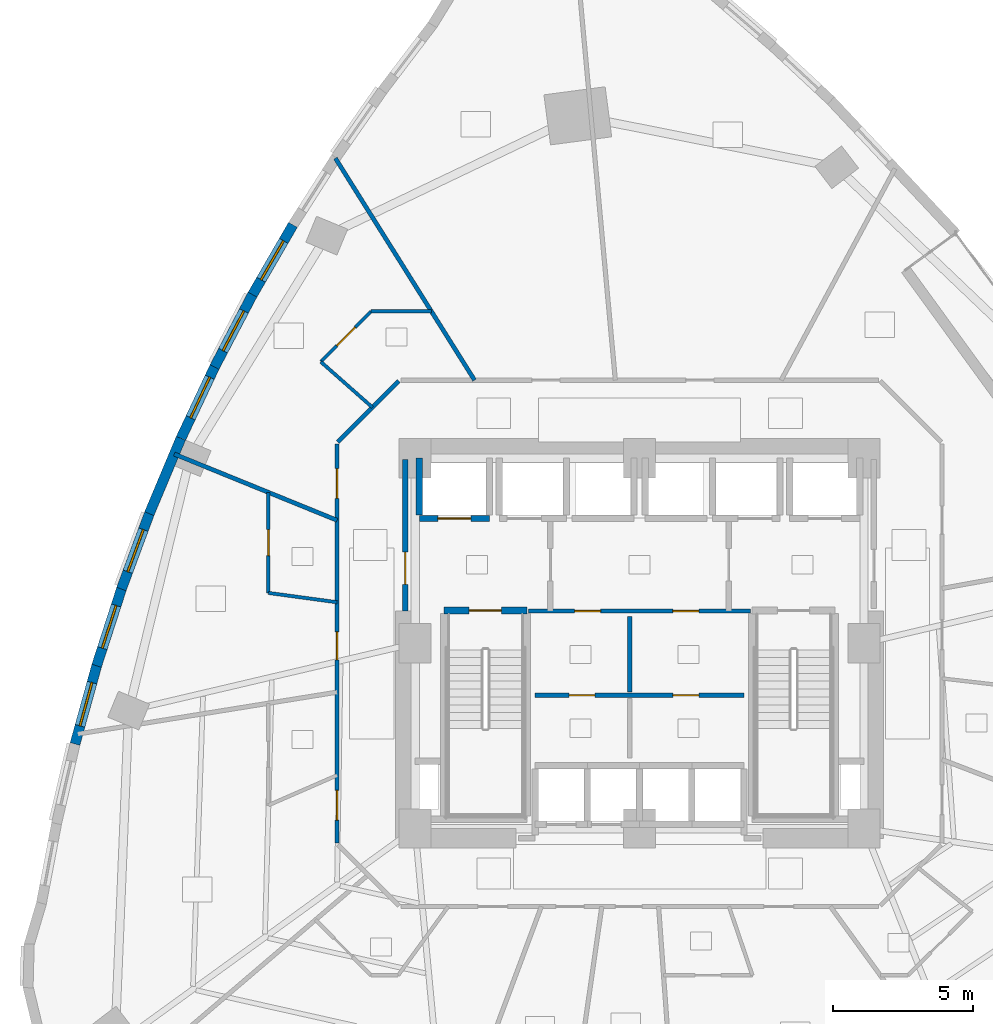
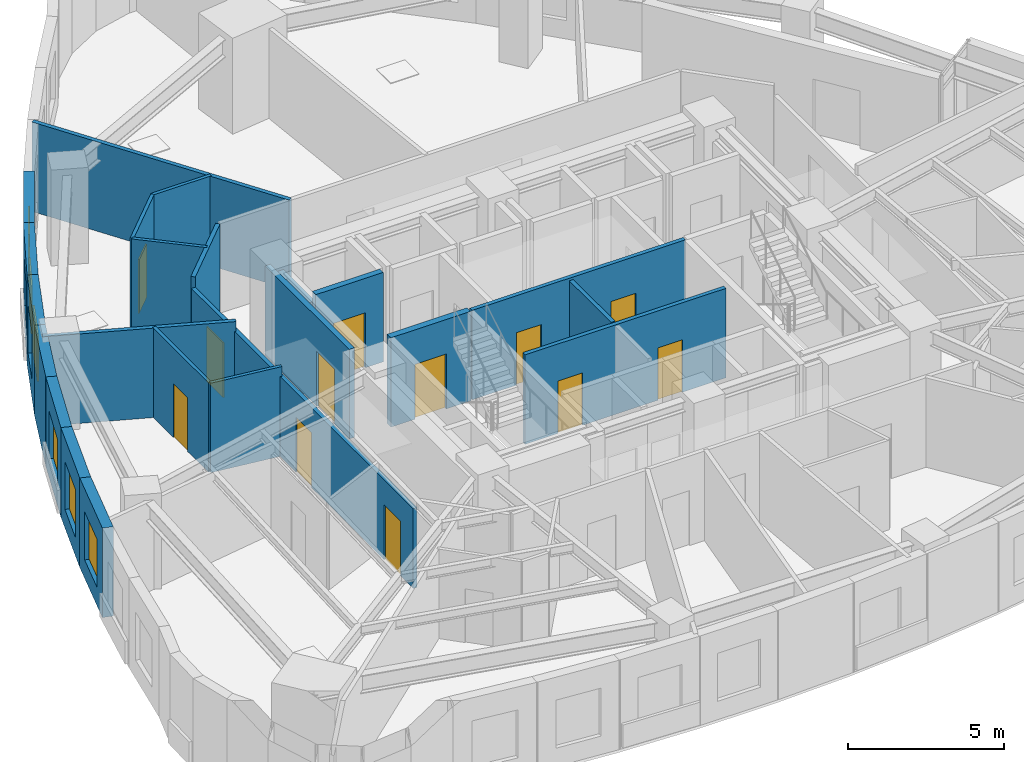
# One storey, part 10 of 15: 23 walls, 12 doors, 6 windows, 18 openings.
"""IFC4 building model written with IfcOpenShell, lengths in metres."""

from ifc_helpers import new_model, si_unit, direction, frame, frame_2d, origin, place, context, subcontext, project, spatial, rectangle, extrude, material, layer, layer_set, type_object, element, fill, save


model = new_model("IFC4")

# Units and contexts
model_context = context("Model", 3, precision=1e-05, world=origin(), true_north=direction((0.0, 1.0)))
body_context = subcontext(model_context, "Body", "Model", "MODEL_VIEW")
ifc_project = project(units=[si_unit("LENGTHUNIT", "METRE"), si_unit("AREAUNIT", "SQUARE_METRE"), si_unit("VOLUMEUNIT", "CUBIC_METRE"), si_unit("PLANEANGLEUNIT", "RADIAN"), si_unit("MASSUNIT", "GRAM", prefix="KILO")], contexts=[model_context])

# Site, building, storey
site_placement = place(None, origin())
site = spatial("IfcSite", under=ifc_project, at=site_placement, CompositionType="ELEMENT")
building_placement = place(site_placement, origin())
building = spatial("IfcBuilding", under=site, at=building_placement, Name="Ndelora Gate Hotel", CompositionType="ELEMENT")
storey_placement = place(building_placement, frame((0.0, 0.0, 56.75)))
storey = spatial("IfcBuildingStorey", under=building, at=storey_placement, Name="L13", CompositionType="ELEMENT", Elevation=56.75)

# Wall, opening, window
ifc_material_1 = material(Name="Clay Brick Masonry", Category="masonry")
ifc_layer_1 = layer(ifc_material_1, 0.360107421875)
ifc_layer_set_1 = layer_set([ifc_layer_1], Name="Clay Brick Masonry")
wall_type_1 = type_object("IfcWallType", Name="WL-BRICK-360", PredefinedType="SOLIDWALL", material=ifc_layer_set_1)
wall_1_placement = place(storey_placement, frame((-13.819580078125, 12.384765625, 0.0), z_axis=(0.0, 0.0, 1.0), x_axis=(0.501513234382, 0.865149972975, 0.0)))
wall_1 = element("IfcWall", 1, at=wall_1_placement, inside=storey, type_object=wall_type_1, Name="L13 Tower Brick Pier-and-Spandrel Wall TWR-12", PredefinedType="SOLIDWALL", context=body_context, shape_type="SweptSolid", body=[
    extrude(rectangle(XDim=2.92529296875, YDim=0.360107421875, at=frame_2d((1.462646484375, 0.0))), origin(), (0.0, 0.0, 1.0), 3.5),
])
opening_1_placement = place(wall_1_placement, frame((0.66259765625, 0.0, 0.719970703125)))
opening_1 = element("IfcOpeningElement", 2, at=opening_1_placement, cuts=wall_1, Name="Opening W01", PredefinedType="OPENING", context=body_context, shape_type="SweptSolid", body=[
    extrude(rectangle(XDim=1.60009765625, YDim=1.8798828125, at=frame_2d((0.800048828125, 0.93994140625))), frame((0.0, 0.18994140625, 0.0), z_axis=(0.0, -1.0, 0.0), x_axis=(1.0, 0.0, 0.0)), (0.0, 0.0, 1.0), 0.380126953125),
])
ifc_material_2 = material(Name="Insulated Low-E Double Glazing in Bronze Aluminium Frame", Category="aluminium")
window_type_1 = type_object("IfcWindowType", Name="WN-DEEP-1600", PartitioningType="SINGLE_PANEL", PredefinedType="WINDOW", material=ifc_material_2)
window_1_placement = place(opening_1_placement, origin())
window_1 = element("IfcWindow", 3, at=window_1_placement, inside=storey, type_object=window_type_1, Name="L13 Deep-Set Brick-Pier Window W01", OverallHeight=1.8798828125, OverallWidth=1.60009765625, PartitioningType="SINGLE_PANEL", PredefinedType="WINDOW", context=body_context, shape_type="SweptSolid", body=[
    extrude(rectangle(XDim=1.60009765625, YDim=1.8798828125, at=frame_2d((0.800048828125, 0.93994140625))), frame((0.0, 0.030029296875, 0.0), z_axis=(0.0, -1.0, 0.0), x_axis=(1.0, 0.0, 0.0)), (0.0, 0.0, 1.0), 0.06005859375),
])
fill(opening_1, window_1)

wall_2_placement = place(storey_placement, frame((-15.14892578125, 9.84716796875, 0.0), z_axis=(0.0, 0.0, 1.0), x_axis=(0.464385677237, 0.885633074573, 0.0)))
wall_2 = element("IfcWall", 4, at=wall_2_placement, inside=storey, type_object=wall_type_1, Name="L13 Tower Brick Pier-and-Spandrel Wall TWR-13", PredefinedType="SOLIDWALL", context=body_context, shape_type="SweptSolid", body=[
    extrude(rectangle(XDim=2.91455078125, YDim=0.360107421875, at=frame_2d((1.457275390625, 0.0))), origin(), (0.0, 0.0, 1.0), 3.5),
])
opening_2_placement = place(wall_2_placement, frame((0.657470703125, 0.0, 0.719970703125)))
opening_2 = element("IfcOpeningElement", 5, at=opening_2_placement, cuts=wall_2, Name="Opening W03", PredefinedType="OPENING", context=body_context, shape_type="SweptSolid", body=[
    extrude(rectangle(XDim=1.60009765625, YDim=1.8798828125, at=frame_2d((0.800048828125, 0.93994140625))), frame((0.0, 0.18994140625, 0.0), z_axis=(0.0, -1.0, 0.0), x_axis=(1.0, 0.0, 0.0)), (0.0, 0.0, 1.0), 0.380126953125),
])
window_type_2 = type_object("IfcWindowType", Name="WN-CORN-2100", PartitioningType="SINGLE_PANEL", PredefinedType="WINDOW", material=ifc_material_2)
window_2_placement = place(opening_2_placement, origin())
window_2 = element("IfcWindow", 6, at=window_2_placement, inside=storey, type_object=window_type_2, Name="L13 Deep-Set Brick-Pier Window W03", OverallHeight=1.8798828125, OverallWidth=1.60009765625, PartitioningType="SINGLE_PANEL", PredefinedType="WINDOW", context=body_context, shape_type="SweptSolid", body=[
    extrude(rectangle(XDim=1.60009765625, YDim=1.8798828125, at=frame_2d((0.800048828125, 0.93994140625))), frame((0.0, 0.030029296875, 0.0), z_axis=(0.0, -1.0, 0.0), x_axis=(1.0, 0.0, 0.0)), (0.0, 0.0, 1.0), 0.06005859375),
])
fill(opening_2, window_2)

wall_3_placement = place(storey_placement, frame((-16.36669921875, 7.259521484375, 0.0), z_axis=(0.0, 0.0, 1.0), x_axis=(0.426148545422, 0.904653202744, 0.0)))
wall_3 = element("IfcWall", 7, at=wall_3_placement, inside=storey, type_object=wall_type_1, Name="L13 Tower Brick Pier-and-Spandrel Wall TWR-14", PredefinedType="SOLIDWALL", context=body_context, shape_type="SweptSolid", body=[
    extrude(rectangle(XDim=2.90966796875, YDim=0.360107421875, at=frame_2d((1.454833984375, 0.0))), origin(), (0.0, 0.0, 1.0), 3.5),
])
opening_3_placement = place(wall_3_placement, frame((0.860107421875, 0.0, 0.719970703125)))
opening_3 = element("IfcOpeningElement", 8, at=opening_3_placement, cuts=wall_3, Name="Opening W01", PredefinedType="OPENING", context=body_context, shape_type="SweptSolid", body=[
    extrude(rectangle(XDim=1.60009765625, YDim=1.8798828125, at=frame_2d((0.800048828125, 0.93994140625))), frame((0.0, 0.18994140625, 0.0), z_axis=(0.0, -1.0, 0.0), x_axis=(1.0, 0.0, 0.0)), (0.0, 0.0, 1.0), 0.380126953125),
])
window_3_placement = place(opening_3_placement, origin())
window_3 = element("IfcWindow", 9, at=window_3_placement, inside=storey, type_object=window_type_1, Name="L13 Deep-Set Brick-Pier Window W01", OverallHeight=1.8798828125, OverallWidth=1.60009765625, PartitioningType="SINGLE_PANEL", PredefinedType="WINDOW", context=body_context, shape_type="SweptSolid", body=[
    extrude(rectangle(XDim=1.60009765625, YDim=1.8798828125, at=frame_2d((0.800048828125, 0.93994140625))), frame((0.0, 0.030029296875, 0.0), z_axis=(0.0, -1.0, 0.0), x_axis=(1.0, 0.0, 0.0)), (0.0, 0.0, 1.0), 0.06005859375),
])
fill(opening_3, window_3)

# Wall
wall_4_placement = place(storey_placement, frame((-17.472900390625, 4.622314453125, 0.0), z_axis=(0.0, 0.0, 1.0), x_axis=(0.387104109378, 0.922036012584, 0.0)))
element("IfcWall", 10, at=wall_4_placement, inside=storey, type_object=wall_type_1, Name="L13 Tower Brick Pier-and-Spandrel Wall TWR-15", PredefinedType="SOLIDWALL", context=body_context, shape_type="SweptSolid", body=[
    extrude(rectangle(XDim=2.909912109375, YDim=0.360107421875, at=frame_2d((1.455078125, 0.0))), origin(), (0.0, 0.0, 1.0), 3.5),
])

# Wall, opening, window
wall_5_placement = place(storey_placement, frame((-18.46728515625, 1.935791015625, 0.0), z_axis=(0.0, 0.0, 1.0), x_axis=(0.347513488828, 0.937674983714, 0.0)))
wall_5 = element("IfcWall", 11, at=wall_5_placement, inside=storey, type_object=wall_type_1, Name="L13 Tower Brick Pier-and-Spandrel Wall TWR-16", PredefinedType="SOLIDWALL", context=body_context, shape_type="SweptSolid", body=[
    extrude(rectangle(XDim=2.914794921875, YDim=0.360107421875, at=frame_2d((1.45751953125, 0.0))), origin(), (0.0, 0.0, 1.0), 3.5),
])
opening_4_placement = place(wall_5_placement, frame((0.657470703125, 0.0, 0.719970703125)))
opening_4 = element("IfcOpeningElement", 12, at=opening_4_placement, cuts=wall_5, Name="Opening W01", PredefinedType="OPENING", context=body_context, shape_type="SweptSolid", body=[
    extrude(rectangle(XDim=1.60009765625, YDim=1.8798828125, at=frame_2d((0.800048828125, 0.93994140625))), frame((0.0, 0.18994140625, 0.0), z_axis=(0.0, -1.0, 0.0), x_axis=(1.0, 0.0, 0.0)), (0.0, 0.0, 1.0), 0.380126953125),
])
window_4_placement = place(opening_4_placement, origin())
window_4 = element("IfcWindow", 13, at=window_4_placement, inside=storey, type_object=window_type_1, Name="L13 Deep-Set Brick-Pier Window W01", OverallHeight=1.8798828125, OverallWidth=1.60009765625, PartitioningType="SINGLE_PANEL", PredefinedType="WINDOW", context=body_context, shape_type="SweptSolid", body=[
    extrude(rectangle(XDim=1.60009765625, YDim=1.8798828125, at=frame_2d((0.800048828125, 0.93994140625))), frame((0.0, 0.030029296875, 0.0), z_axis=(0.0, -1.0, 0.0), x_axis=(1.0, 0.0, 0.0)), (0.0, 0.0, 1.0), 0.06005859375),
])
fill(opening_4, window_4)

wall_6_placement = place(storey_placement, frame((-19.349853515625, -0.80078125, 0.0), z_axis=(0.0, 0.0, 1.0), x_axis=(0.307375839582, 0.951588195199, 0.0)))
wall_6 = element("IfcWall", 14, at=wall_6_placement, inside=storey, type_object=wall_type_1, Name="L13 Tower Brick Pier-and-Spandrel Wall TWR-17", PredefinedType="SOLIDWALL", context=body_context, shape_type="SweptSolid", body=[
    extrude(rectangle(XDim=2.92529296875, YDim=0.360107421875, at=frame_2d((1.462646484375, 0.0))), origin(), (0.0, 0.0, 1.0), 3.5),
])
opening_5_placement = place(wall_6_placement, frame((0.66259765625, 0.0, 0.719970703125)))
opening_5 = element("IfcOpeningElement", 15, at=opening_5_placement, cuts=wall_6, Name="Opening W03", PredefinedType="OPENING", context=body_context, shape_type="SweptSolid", body=[
    extrude(rectangle(XDim=1.60009765625, YDim=1.8798828125, at=frame_2d((0.800048828125, 0.93994140625))), frame((0.0, 0.18994140625, 0.0), z_axis=(0.0, -1.0, 0.0), x_axis=(1.0, 0.0, 0.0)), (0.0, 0.0, 1.0), 0.380126953125),
])
window_5_placement = place(opening_5_placement, origin())
window_5 = element("IfcWindow", 16, at=window_5_placement, inside=storey, type_object=window_type_2, Name="L13 Deep-Set Brick-Pier Window W03", OverallHeight=1.8798828125, OverallWidth=1.60009765625, PartitioningType="SINGLE_PANEL", PredefinedType="WINDOW", context=body_context, shape_type="SweptSolid", body=[
    extrude(rectangle(XDim=1.60009765625, YDim=1.8798828125, at=frame_2d((0.800048828125, 0.93994140625))), frame((0.0, 0.030029296875, 0.0), z_axis=(0.0, -1.0, 0.0), x_axis=(1.0, 0.0, 0.0)), (0.0, 0.0, 1.0), 0.06005859375),
])
fill(opening_5, window_5)

wall_7_placement = place(storey_placement, frame((-20.12109375, -3.5869140625, 0.0), z_axis=(0.0, 0.0, 1.0), x_axis=(0.267147156335, 0.963655746033, 0.0)))
wall_7 = element("IfcWall", 17, at=wall_7_placement, inside=storey, type_object=wall_type_1, Name="L13 Tower Brick Pier-and-Spandrel Wall TWR-18", PredefinedType="SOLIDWALL", context=body_context, shape_type="SweptSolid", body=[
    extrude(rectangle(XDim=2.94091796875, YDim=0.360107421875, at=frame_2d((1.470458984375, 0.0))), origin(), (0.0, 0.0, 1.0), 3.5),
])
opening_6_placement = place(wall_7_placement, frame((0.67041015625, 0.0, 0.719970703125)))
opening_6 = element("IfcOpeningElement", 18, at=opening_6_placement, cuts=wall_7, Name="Opening W01", PredefinedType="OPENING", context=body_context, shape_type="SweptSolid", body=[
    extrude(rectangle(XDim=1.60009765625, YDim=1.8798828125, at=frame_2d((0.800048828125, 0.93994140625))), frame((0.0, 0.18994140625, 0.0), z_axis=(0.0, -1.0, 0.0), x_axis=(1.0, 0.0, 0.0)), (0.0, 0.0, 1.0), 0.380126953125),
])
window_6_placement = place(opening_6_placement, origin())
window_6 = element("IfcWindow", 19, at=window_6_placement, inside=storey, type_object=window_type_1, Name="L13 Deep-Set Brick-Pier Window W01", OverallHeight=1.8798828125, OverallWidth=1.60009765625, PartitioningType="SINGLE_PANEL", PredefinedType="WINDOW", context=body_context, shape_type="SweptSolid", body=[
    extrude(rectangle(XDim=1.60009765625, YDim=1.8798828125, at=frame_2d((0.800048828125, 0.93994140625))), frame((0.0, 0.030029296875, 0.0), z_axis=(0.0, -1.0, 0.0), x_axis=(1.0, 0.0, 0.0)), (0.0, 0.0, 1.0), 0.06005859375),
])
fill(opening_6, window_6)

# Wall, opening, door
ifc_material_3 = material(Name="Concrete C40/50", Category="concrete")
ifc_layer_2 = layer(ifc_material_3, 0.199951171875)
ifc_layer_set_2 = layer_set([ifc_layer_2], Name="Concrete C40/50")
wall_type_2 = type_object("IfcWallType", Name="WL-FIRE-200", PredefinedType="PARTITIONING", material=ifc_layer_set_2)
wall_8_placement = place(storey_placement, frame((-8.35009765625, 1.14990234375, 0.0), z_axis=(0.0, 0.0, 1.0), x_axis=(0.0, 1.0, 0.0)))
wall_8 = element("IfcWall", 20, at=wall_8_placement, inside=storey, type_object=wall_type_2, Name="L13 Interior Wall IW-2", PredefinedType="PARTITIONING", context=body_context, shape_type="SweptSolid", body=[
    extrude(rectangle(XDim=5.400146484375, YDim=0.199951171875, at=frame_2d((2.7001953125, 0.0))), origin(), (0.0, 0.0, 1.0), 3.5),
])
opening_7_placement = place(wall_8_placement, frame((0.949951171875, 0.0, 0.0)))
opening_7 = element("IfcOpeningElement", 21, at=opening_7_placement, cuts=wall_8, Name="Opening FD1", PredefinedType="OPENING", context=body_context, shape_type="SweptSolid", body=[
    extrude(rectangle(XDim=1.14990234375, YDim=2.14990234375, at=frame_2d((0.574951171875, 1.074951171875))), frame((0.0, 0.10986328125, 0.0), z_axis=(0.0, -1.0, 0.0), x_axis=(1.0, 0.0, 0.0)), (0.0, 0.0, 1.0), 0.219970703125),
])
ifc_material_4 = material(Name="Fire-Rated Timber-Veneer Steel Core", Category="steel")
door_type_1 = type_object("IfcDoorType", Name="DR-FD60", OperationType="SINGLE_SWING_LEFT", PredefinedType="DOOR", material=ifc_material_4)
door_1_placement = place(opening_7_placement, origin())
door_1 = element("IfcDoor", 22, at=door_1_placement, inside=storey, type_object=door_type_1, Name="L13 Firefighting Lobby West Corridor Door", OperationType="SINGLE_SWING_LEFT", OverallHeight=2.14990234375, OverallWidth=1.14990234375, PredefinedType="DOOR", context=body_context, shape_type="SweptSolid", body=[
    extrude(rectangle(XDim=1.14990234375, YDim=2.14990234375, at=frame_2d((0.574951171875, 1.074951171875))), frame((0.0, 0.02490234375, 0.0), z_axis=(0.0, -1.0, 0.0), x_axis=(1.0, 0.0, 0.0)), (0.0, 0.0, 1.0), 0.050048828125),
])
fill(opening_7, door_1)

# Wall, openings, doors
ifc_material_5 = material(Name="Fire-Rated Gypsum Stud Partition", Category="gypsum")
ifc_layer_3 = layer(ifc_material_5, 0.14990234375)
ifc_layer_set_3 = layer_set([ifc_layer_3], Name="Fire-Rated Gypsum Stud Partition")
wall_type_3 = type_object("IfcWallType", Name="WL-PART-150", PredefinedType="PARTITIONING", material=ifc_layer_set_3)
wall_9_placement = place(storey_placement, frame((3.949951171875, 1.14990234375, 0.0), z_axis=(0.0, 0.0, 1.0), x_axis=(-1.0, 0.0, 0.0)))
wall_9 = element("IfcWall", 23, at=wall_9_placement, inside=storey, type_object=wall_type_3, Name="L13 Interior Wall IW-5", PredefinedType="PARTITIONING", context=body_context, shape_type="SweptSolid", body=[
    extrude(rectangle(XDim=7.89990234375, YDim=0.14990234375, at=frame_2d((3.949951171875, 0.0))), origin(), (0.0, 0.0, 1.0), 3.5),
])
opening_8_placement = place(wall_9_placement, frame((5.340087890625, 0.0, 0.0)))
opening_8 = element("IfcOpeningElement", 24, at=opening_8_placement, cuts=wall_9, Name="Opening D04", PredefinedType="OPENING", context=body_context, shape_type="SweptSolid", body=[
    extrude(rectangle(XDim=0.919921875, YDim=2.050048828125, at=frame_2d((0.4599609375, 1.02490234375))), frame((0.0, 0.0849609375, 0.0), z_axis=(0.0, -1.0, 0.0), x_axis=(1.0, 0.0, 0.0)), (0.0, 0.0, 1.0), 0.169921875),
])
opening_9_placement = place(wall_9_placement, frame((1.840087890625, 0.0, 0.0)))
opening_9 = element("IfcOpeningElement", 25, at=opening_9_placement, cuts=wall_9, Name="Opening D04", PredefinedType="OPENING", context=body_context, shape_type="SweptSolid", body=[
    extrude(rectangle(XDim=0.919921875, YDim=2.050048828125, at=frame_2d((0.4599609375, 1.02490234375))), frame((0.0, 0.0849609375, 0.0), z_axis=(0.0, -1.0, 0.0), x_axis=(1.0, 0.0, 0.0)), (0.0, 0.0, 1.0), 0.169921875),
])
ifc_material_6 = material(Name="Painted Steel Core Service Door", Category="steel")
door_type_2 = type_object("IfcDoorType", Name="DR-SER-920", OperationType="SINGLE_SWING_LEFT", PredefinedType="DOOR", material=ifc_material_6)
door_2_placement = place(opening_8_placement, origin())
door_2 = element("IfcDoor", 26, at=door_2_placement, inside=storey, type_object=door_type_2, Name="L13 Core Electrical Closet Door", OperationType="SINGLE_SWING_LEFT", OverallHeight=2.050048828125, OverallWidth=0.919921875, PredefinedType="DOOR", context=body_context, shape_type="SweptSolid", body=[
    extrude(rectangle(XDim=0.919921875, YDim=2.050048828125, at=frame_2d((0.4599609375, 1.02490234375))), frame((0.0, 0.02490234375, 0.0), z_axis=(0.0, -1.0, 0.0), x_axis=(1.0, 0.0, 0.0)), (0.0, 0.0, 1.0), 0.050048828125),
])
fill(opening_8, door_2)
door_3_placement = place(opening_9_placement, origin())
door_3 = element("IfcDoor", 27, at=door_3_placement, inside=storey, type_object=door_type_2, Name="L13 Comms Patching Store Door", OperationType="SINGLE_SWING_RIGHT", OverallHeight=2.050048828125, OverallWidth=0.919921875, PredefinedType="DOOR", context=body_context, shape_type="SweptSolid", body=[
    extrude(rectangle(XDim=0.919921875, YDim=2.050048828125, at=frame_2d((0.4599609375, 1.02490234375))), frame((0.0, 0.02490234375, 0.0), z_axis=(0.0, -1.0, 0.0), x_axis=(1.0, 0.0, 0.0)), (0.0, 0.0, 1.0), 0.050048828125),
])
fill(opening_9, door_3)

wall_10_placement = place(storey_placement, frame((-3.719970703125, -1.85009765625, 0.0), z_axis=(0.0, 0.0, 1.0), x_axis=(1.0, 0.0, 0.0)))
wall_10 = element("IfcWall", 28, at=wall_10_placement, inside=storey, type_object=wall_type_3, Name="L13 Interior Wall IW-5", PredefinedType="PARTITIONING", context=body_context, shape_type="SweptSolid", body=[
    extrude(rectangle(XDim=7.43994140625, YDim=0.14990234375, at=frame_2d((3.719970703125, 0.0))), origin(), (0.0, 0.0, 1.0), 3.5),
])
opening_10_placement = place(wall_10_placement, frame((1.2099609375, 0.0, 0.0)))
opening_10 = element("IfcOpeningElement", 29, at=opening_10_placement, cuts=wall_10, Name="Opening D04", PredefinedType="OPENING", context=body_context, shape_type="SweptSolid", body=[
    extrude(rectangle(XDim=0.919921875, YDim=2.050048828125, at=frame_2d((0.4599609375, 1.02490234375))), frame((0.0, 0.0849609375, 0.0), z_axis=(0.0, -1.0, 0.0), x_axis=(1.0, 0.0, 0.0)), (0.0, 0.0, 1.0), 0.169921875),
])
opening_11_placement = place(wall_10_placement, frame((4.909912109375, 0.0, 0.0)))
opening_11 = element("IfcOpeningElement", 30, at=opening_11_placement, cuts=wall_10, Name="Opening D04", PredefinedType="OPENING", context=body_context, shape_type="SweptSolid", body=[
    extrude(rectangle(XDim=0.919921875, YDim=2.050048828125, at=frame_2d((0.4599609375, 1.02490234375))), frame((0.0, 0.0849609375, 0.0), z_axis=(0.0, -1.0, 0.0), x_axis=(1.0, 0.0, 0.0)), (0.0, 0.0, 1.0), 0.169921875),
])
door_4_placement = place(opening_10_placement, origin())
door_4 = element("IfcDoor", 31, at=door_4_placement, inside=storey, type_object=door_type_2, Name="L13 Core Service Internal Door", OperationType="SINGLE_SWING_LEFT", OverallHeight=2.050048828125, OverallWidth=0.919921875, PredefinedType="DOOR", context=body_context, shape_type="SweptSolid", body=[
    extrude(rectangle(XDim=0.919921875, YDim=2.050048828125, at=frame_2d((0.4599609375, 1.02490234375))), frame((0.0, 0.02490234375, 0.0), z_axis=(0.0, -1.0, 0.0), x_axis=(1.0, 0.0, 0.0)), (0.0, 0.0, 1.0), 0.050048828125),
])
fill(opening_10, door_4)
door_5_placement = place(opening_11_placement, origin())
door_5 = element("IfcDoor", 32, at=door_5_placement, inside=storey, type_object=door_type_2, Name="L13 Core Service Internal Door", OperationType="SINGLE_SWING_LEFT", OverallHeight=2.050048828125, OverallWidth=0.919921875, PredefinedType="DOOR", context=body_context, shape_type="SweptSolid", body=[
    extrude(rectangle(XDim=0.919921875, YDim=2.050048828125, at=frame_2d((0.4599609375, 1.02490234375))), frame((0.0, 0.02490234375, 0.0), z_axis=(0.0, -1.0, 0.0), x_axis=(1.0, 0.0, 0.0)), (0.0, 0.0, 1.0), 0.050048828125),
])
fill(opening_11, door_5)

# Walls
wall_11_placement = place(storey_placement, frame((-0.35009765625, -1.72998046875, 0.0), z_axis=(0.0, 0.0, 1.0), x_axis=(0.0, 1.0, 0.0)))
element("IfcWall", 33, at=wall_11_placement, inside=storey, type_object=wall_type_3, Name="L13 Interior Wall IW-5", PredefinedType="PARTITIONING", context=body_context, shape_type="SweptSolid", body=[
    extrude(rectangle(XDim=2.679931640625, YDim=0.14990234375, at=frame_2d((1.33984375, 0.0))), origin(), (0.0, 0.0, 1.0), 3.5),
])
wall_12_placement = place(storey_placement, frame((-10.751708984375, 7.17822265625, 0.0), z_axis=(0.0, 0.0, 1.0), x_axis=(0.707067066127, 0.707146494016, 0.0)))
element("IfcWall", 34, at=wall_12_placement, inside=storey, type_object=wall_type_3, Name="L13 Interior Wall IW-5", PredefinedType="PARTITIONING", context=body_context, shape_type="SweptSolid", body=[
    extrude(rectangle(XDim=3.07373046875, YDim=0.14990234375, at=frame_2d((1.536865234375, 0.0))), origin(), (0.0, 0.0, 1.0), 3.5),
])

# Wall, openings, doors
wall_13_placement = place(storey_placement, frame((-10.780029296875, -7.110107421875, 0.0), z_axis=(0.0, 0.0, 1.0), x_axis=(0.0, 1.0, 0.0)))
wall_13 = element("IfcWall", 35, at=wall_13_placement, inside=storey, type_object=wall_type_3, Name="L13 Interior Wall IW-5", PredefinedType="PARTITIONING", context=body_context, shape_type="SweptSolid", body=[
    extrude(rectangle(XDim=14.22021484375, YDim=0.14990234375, at=frame_2d((7.110107421875, 0.0))), origin(), (0.0, 0.0, 1.0), 3.1201171875),
])
opening_12_placement = place(wall_13_placement, frame((12.277587890625, 0.0, 0.0)))
opening_12 = element("IfcOpeningElement", 36, at=opening_12_placement, cuts=wall_13, Name="Opening D07", PredefinedType="OPENING", context=body_context, shape_type="SweptSolid", body=[
    extrude(rectangle(XDim=1.06005859375, YDim=2.14990234375, at=frame_2d((0.530029296875, 1.074951171875))), frame((0.0, 0.0849609375, 0.0), z_axis=(0.0, -1.0, 0.0), x_axis=(1.0, 0.0, 0.0)), (0.0, 0.0, 1.0), 0.169921875),
])
opening_13_placement = place(wall_13_placement, frame((6.521484375, 0.0, 0.0)))
opening_13 = element("IfcOpeningElement", 37, at=opening_13_placement, cuts=wall_13, Name="Opening D01", PredefinedType="OPENING", context=body_context, shape_type="SweptSolid", body=[
    extrude(rectangle(XDim=1.0, YDim=2.14990234375, at=frame_2d((0.5, 1.074951171875))), frame((0.0, 0.0849609375, 0.0), z_axis=(0.0, -1.0, 0.0), x_axis=(1.0, 0.0, 0.0)), (0.0, 0.0, 1.0), 0.169921875),
])
opening_14_placement = place(wall_13_placement, frame((0.813232421875, 0.0, 0.0)))
opening_14 = element("IfcOpeningElement", 38, at=opening_14_placement, cuts=wall_13, Name="Opening D07", PredefinedType="OPENING", context=body_context, shape_type="SweptSolid", body=[
    extrude(rectangle(XDim=1.06005859375, YDim=2.14990234375, at=frame_2d((0.530029296875, 1.074951171875))), frame((0.0, 0.0849609375, 0.0), z_axis=(0.0, -1.0, 0.0), x_axis=(1.0, 0.0, 0.0)), (0.0, 0.0, 1.0), 0.169921875),
])
ifc_material_7 = material(Name="Acoustic Hardwood Guest Entrance Door", Category="wood")
door_type_3 = type_object("IfcDoorType", Name="DR-COR-1000", OperationType="SINGLE_SWING_LEFT", PredefinedType="DOOR", material=ifc_material_7)
door_6_placement = place(opening_13_placement, origin())
door_6 = element("IfcDoor", 39, at=door_6_placement, inside=storey, type_object=door_type_3, Name="L13 Executive King Guest Room 1605 Entrance Door", OperationType="SINGLE_SWING_LEFT", OverallHeight=2.14990234375, OverallWidth=1.0, PredefinedType="DOOR", context=body_context, shape_type="SweptSolid", body=[
    extrude(rectangle(XDim=1.0, YDim=2.14990234375, at=frame_2d((0.5, 1.074951171875))), frame((0.0, 0.02490234375, 0.0), z_axis=(0.0, -1.0, 0.0), x_axis=(1.0, 0.0, 0.0)), (0.0, 0.0, 1.0), 0.050048828125),
])
fill(opening_13, door_6)
ifc_material_8 = material(Name="Diplomatic Suite Acoustic Entrance Door", Category="wood")
door_type_4 = type_object("IfcDoorType", Name="DR-SUITE-1060", OperationType="SINGLE_SWING_LEFT", PredefinedType="DOOR", material=ifc_material_8)
door_7_placement = place(opening_12_placement, origin())
door_7 = element("IfcDoor", 40, at=door_7_placement, inside=storey, type_object=door_type_4, Name="L13 Corner Diplomatic Suite 1604 Entrance Door", OperationType="SINGLE_SWING_RIGHT", OverallHeight=2.14990234375, OverallWidth=1.06005859375, PredefinedType="DOOR", context=body_context, shape_type="SweptSolid", body=[
    extrude(rectangle(XDim=1.06005859375, YDim=2.14990234375, at=frame_2d((0.530029296875, 1.074951171875))), frame((0.0, 0.02490234375, 0.0), z_axis=(0.0, -1.0, 0.0), x_axis=(1.0, 0.0, 0.0)), (0.0, 0.0, 1.0), 0.050048828125),
])
fill(opening_12, door_7)
door_8_placement = place(opening_14_placement, origin())
door_8 = element("IfcDoor", 41, at=door_8_placement, inside=storey, type_object=door_type_4, Name="L13 Superior Double Junior Suite 1606 Entrance Door", OperationType="SINGLE_SWING_RIGHT", OverallHeight=2.14990234375, OverallWidth=1.06005859375, PredefinedType="DOOR", context=body_context, shape_type="SweptSolid", body=[
    extrude(rectangle(XDim=1.06005859375, YDim=2.14990234375, at=frame_2d((0.530029296875, 1.074951171875))), frame((0.0, 0.02490234375, 0.0), z_axis=(0.0, -1.0, 0.0), x_axis=(1.0, 0.0, 0.0)), (0.0, 0.0, 1.0), 0.050048828125),
])
fill(opening_14, door_8)

# Walls
wall_14_placement = place(storey_placement, frame((-5.881103515625, 9.3798828125, 0.0), z_axis=(0.0, 0.0, 1.0), x_axis=(-0.531202169705, 0.847245097301, 0.0)))
element("IfcWall", 42, at=wall_14_placement, inside=storey, type_object=wall_type_3, Name="L13 Interior Wall IW-5", PredefinedType="PARTITIONING", context=body_context, shape_type="SweptSolid", body=[
    extrude(rectangle(XDim=9.333984375, YDim=0.14990234375, at=frame_2d((4.6669921875, 0.0))), origin(), (0.0, 0.0, 1.0), 3.5),
])
wall_15_placement = place(storey_placement, frame((-10.780029296875, 4.38525390625, 0.0), z_axis=(0.0, 0.0, 1.0), x_axis=(-0.926285946265, 0.376821371146, 0.0)))
element("IfcWall", 43, at=wall_15_placement, inside=storey, type_object=wall_type_3, Name="L13 Interior Wall IW-5", PredefinedType="PARTITIONING", context=body_context, shape_type="SweptSolid", body=[
    extrude(rectangle(XDim=6.26318359375, YDim=0.14990234375, at=frame_2d((3.131591796875, 0.0))), origin(), (0.0, 0.0, 1.0), 3.5),
])

# Wall, opening, door
ifc_layer_4 = layer(ifc_material_3, 0.219970703125)
ifc_layer_set_4 = layer_set([ifc_layer_4], Name="Concrete C40/50")
wall_type_4 = type_object("IfcWallType", Name="WL-SHAFT-220", PredefinedType="PARTITIONING", material=ifc_layer_set_4)
wall_16_placement = place(storey_placement, frame((-7.85009765625, 4.449951171875, 0.0), z_axis=(0.0, 0.0, 1.0), x_axis=(1.0, 0.0, 0.0)))
wall_16 = element("IfcWall", 44, at=wall_16_placement, inside=storey, type_object=wall_type_4, Name="L13 Interior Wall IW-1", PredefinedType="PARTITIONING", context=body_context, shape_type="SweptSolid", body=[
    extrude(rectangle(XDim=2.5, YDim=0.219970703125, at=frame_2d((1.25, 0.0))), origin(), (0.0, 0.0, 1.0), 3.5),
])
opening_15_placement = place(wall_16_placement, frame((0.659912109375, 0.0, 0.0)))
opening_15 = element("IfcOpeningElement", 45, at=opening_15_placement, cuts=wall_16, Name="Opening LD5", PredefinedType="OPENING", context=body_context, shape_type="SweptSolid", body=[
    extrude(rectangle(XDim=1.179931640625, YDim=2.14990234375, at=frame_2d((0.58984375, 1.074951171875))), frame((0.0, 0.1201171875, 0.0), z_axis=(0.0, -1.0, 0.0), x_axis=(1.0, 0.0, 0.0)), (0.0, 0.0, 1.0), 0.239990234375),
])
ifc_material_9 = material(Name="Firefighting Lift Stainless Sliding Landing Door", Category="metal")
door_type_5 = type_object("IfcDoorType", Name="DR-LD5", OperationType="DOUBLE_DOOR_SLIDING", PredefinedType="DOOR", material=ifc_material_9)
door_9_placement = place(opening_15_placement, origin())
door_9 = element("IfcDoor", 46, at=door_9_placement, inside=storey, type_object=door_type_5, Name="L13 Lift Landing Sliding Door FFL1", OperationType="DOUBLE_DOOR_SLIDING", OverallHeight=2.14990234375, OverallWidth=1.179931640625, PredefinedType="DOOR", context=body_context, shape_type="SweptSolid", body=[
    extrude(rectangle(XDim=1.179931640625, YDim=2.14990234375, at=frame_2d((0.58984375, 1.074951171875))), frame((0.0, 0.02490234375, 0.0), z_axis=(0.0, -1.0, 0.0), x_axis=(1.0, 0.0, 0.0)), (0.0, 0.0, 1.0), 0.050048828125),
])
fill(opening_15, door_9)

# Wall
wall_17_placement = place(storey_placement, frame((-7.85009765625, 4.570068359375, 0.0), z_axis=(0.0, 0.0, 1.0), x_axis=(0.0, 1.0, 0.0)))
element("IfcWall", 47, at=wall_17_placement, inside=storey, type_object=wall_type_4, Name="L13 Interior Wall IW-1", PredefinedType="PARTITIONING", context=body_context, shape_type="SweptSolid", body=[
    extrude(rectangle(XDim=2.030029296875, YDim=0.219970703125, at=frame_2d((1.01513671875, 0.0))), origin(), (0.0, 0.0, 1.0), 3.080078125),
])

# Wall, opening, door
ifc_material_10 = material(Name="Concrete C50/60", Category="concrete")
ifc_layer_5 = layer(ifc_material_10, 0.239990234375)
ifc_layer_set_5 = layer_set([ifc_layer_5], Name="Concrete C50/60")
wall_type_5 = type_object("IfcWallType", Name="WL-STAIR-240", PredefinedType="SHEAR", material=ifc_layer_set_5)
wall_18_placement = place(storey_placement, frame((-6.969970703125, 1.169921875, 0.0), z_axis=(0.0, 0.0, 1.0), x_axis=(1.0, 0.0, 0.0)))
wall_18 = element("IfcWall", 48, at=wall_18_placement, inside=storey, type_object=wall_type_5, Name="L13 Stair Core Shear Wall SW-ST", PredefinedType="SHEAR", context=body_context, shape_type="SweptSolid", body=[
    extrude(rectangle(XDim=2.9599609375, YDim=0.239990234375, at=frame_2d((1.47998046875, 0.0))), origin(), (0.0, 0.0, 1.0), 3.5),
])
opening_16_placement = place(wall_18_placement, frame((0.89990234375, 0.0, 0.0)))
opening_16 = element("IfcOpeningElement", 49, at=opening_16_placement, cuts=wall_18, Name="Opening FD1", PredefinedType="OPENING", context=body_context, shape_type="SweptSolid", body=[
    extrude(rectangle(XDim=1.14990234375, YDim=2.14990234375, at=frame_2d((0.574951171875, 1.074951171875))), frame((0.0, 0.1298828125, 0.0), z_axis=(0.0, -1.0, 0.0), x_axis=(1.0, 0.0, 0.0)), (0.0, 0.0, 1.0), 0.260009765625),
])
door_10_placement = place(opening_16_placement, origin())
door_10 = element("IfcDoor", 50, at=door_10_placement, inside=storey, type_object=door_type_1, Name="L13 Exit Stair ST4 Door", OperationType="SINGLE_SWING_LEFT", OverallHeight=2.14990234375, OverallWidth=1.14990234375, PredefinedType="DOOR", context=body_context, shape_type="SweptSolid", body=[
    extrude(rectangle(XDim=1.14990234375, YDim=2.14990234375, at=frame_2d((0.574951171875, 1.074951171875))), frame((0.0, 0.02490234375, 0.0), z_axis=(0.0, -1.0, 0.0), x_axis=(1.0, 0.0, 0.0)), (0.0, 0.0, 1.0), 0.050048828125),
])
fill(opening_16, door_10)

# Wall
ifc_material_11 = material(Name="Moisture-Resistant Bathroom Tile Partition", Category="gypsum")
ifc_layer_6 = layer(ifc_material_11, 0.1201171875)
ifc_layer_set_6 = layer_set([ifc_layer_6], Name="Moisture-Resistant Bathroom Tile Partition")
wall_type_6 = type_object("IfcWallType", Name="WL-WET-120", PredefinedType="PARTITIONING", material=ifc_layer_set_6)
wall_19_placement = place(storey_placement, frame((-9.520263671875, 8.409912109375, 0.0), z_axis=(0.0, 0.0, 1.0), x_axis=(-0.749512689339, 0.661989976147, 0.0)))
element("IfcWall", 51, at=wall_19_placement, inside=storey, type_object=wall_type_6, Name="L13 Interior Wall IW-7", PredefinedType="PARTITIONING", context=body_context, shape_type="SweptSolid", body=[
    extrude(rectangle(XDim=2.454833984375, YDim=0.1201171875, at=frame_2d((1.2275390625, 0.0))), origin(), (0.0, 0.0, 1.0), 3.5),
])

# Wall, opening, door
wall_20_placement = place(storey_placement, frame((-11.360107421875, 10.034912109375, 0.0), z_axis=(0.0, 0.0, 1.0), x_axis=(0.707154859159, 0.707058699945, 0.0)))
wall_20 = element("IfcWall", 52, at=wall_20_placement, inside=storey, type_object=wall_type_6, Name="L13 Interior Wall IW-7", PredefinedType="PARTITIONING", context=body_context, shape_type="SweptSolid", body=[
    extrude(rectangle(XDim=2.538818359375, YDim=0.1201171875, at=frame_2d((1.26953125, 0.0))), origin(), (0.0, 0.0, 1.0), 3.5),
])
opening_17_placement = place(wall_20_placement, frame((0.809326171875, 0.0, 0.0)))
opening_17 = element("IfcOpeningElement", 53, at=opening_17_placement, cuts=wall_20, Name="Opening D03", PredefinedType="OPENING", context=body_context, shape_type="SweptSolid", body=[
    extrude(rectangle(XDim=0.919921875, YDim=2.10009765625, at=frame_2d((0.4599609375, 1.050048828125))), frame((0.0, 0.070068359375, 0.0), z_axis=(0.0, -1.0, 0.0), x_axis=(1.0, 0.0, 0.0)), (0.0, 0.0, 1.0), 0.14013671875),
])
ifc_material_12 = material(Name="Moisture-Resistant Hardwood En-Suite Door", Category="wood")
door_type_6 = type_object("IfcDoorType", Name="DR-BATH-920", OperationType="SINGLE_SWING_LEFT", PredefinedType="DOOR", material=ifc_material_12)
door_11_placement = place(opening_17_placement, origin())
door_11 = element("IfcDoor", 54, at=door_11_placement, inside=storey, type_object=door_type_6, Name="L13 En-suite Bathroom 1604 Door", OperationType="SINGLE_SWING_LEFT", OverallHeight=2.10009765625, OverallWidth=0.919921875, PredefinedType="DOOR", context=body_context, shape_type="SweptSolid", body=[
    extrude(rectangle(XDim=0.919921875, YDim=2.10009765625, at=frame_2d((0.4599609375, 1.050048828125))), frame((0.0, 0.02490234375, 0.0), z_axis=(0.0, -1.0, 0.0), x_axis=(1.0, 0.0, 0.0)), (0.0, 0.0, 1.0), 0.050048828125),
])
fill(opening_17, door_11)

# Walls
wall_21_placement = place(storey_placement, frame((-7.417236328125, 11.830078125, 0.0), z_axis=(0.0, 0.0, 1.0), x_axis=(-1.0, 0.0, 0.0)))
element("IfcWall", 55, at=wall_21_placement, inside=storey, type_object=wall_type_6, Name="L13 Interior Wall IW-7", PredefinedType="PARTITIONING", context=body_context, shape_type="SweptSolid", body=[
    extrude(rectangle(XDim=2.1474609375, YDim=0.1201171875, at=frame_2d((1.07373046875, 0.0))), origin(), (0.0, 0.0, 1.0), 3.5),
])
wall_22_placement = place(storey_placement, frame((-10.780029296875, 1.464599609375, 0.0), z_axis=(0.0, 0.0, 1.0), x_axis=(-0.990901533964, 0.134588818215, 0.0)))
element("IfcWall", 56, at=wall_22_placement, inside=storey, type_object=wall_type_6, Name="L13 Interior Wall IW-7", PredefinedType="PARTITIONING", context=body_context, shape_type="SweptSolid", body=[
    extrude(rectangle(XDim=2.472412109375, YDim=0.1201171875, at=frame_2d((1.236328125, 0.0))), origin(), (0.0, 0.0, 1.0), 3.5),
])

# Wall, opening, door
wall_23_placement = place(storey_placement, frame((-13.22998046875, 1.79736328125, 0.0), z_axis=(0.0, 0.0, 1.0), x_axis=(0.0, 1.0, 0.0)))
wall_23 = element("IfcWall", 57, at=wall_23_placement, inside=storey, type_object=wall_type_6, Name="L13 Interior Wall IW-7", PredefinedType="PARTITIONING", context=body_context, shape_type="SweptSolid", body=[
    extrude(rectangle(XDim=3.584716796875, YDim=0.1201171875, at=frame_2d((1.79248046875, 0.0))), origin(), (0.0, 0.0, 1.0), 3.5),
])
opening_18_placement = place(wall_23_placement, frame((1.332275390625, 0.0, 0.0)))
opening_18 = element("IfcOpeningElement", 58, at=opening_18_placement, cuts=wall_23, Name="Opening D03", PredefinedType="OPENING", context=body_context, shape_type="SweptSolid", body=[
    extrude(rectangle(XDim=0.919921875, YDim=2.10009765625, at=frame_2d((0.4599609375, 1.050048828125))), frame((0.0, 0.070068359375, 0.0), z_axis=(0.0, -1.0, 0.0), x_axis=(1.0, 0.0, 0.0)), (0.0, 0.0, 1.0), 0.14013671875),
])
door_12_placement = place(opening_18_placement, origin())
door_12 = element("IfcDoor", 59, at=door_12_placement, inside=storey, type_object=door_type_6, Name="L13 En-suite Bathroom 1605 Door", OperationType="SINGLE_SWING_RIGHT", OverallHeight=2.10009765625, OverallWidth=0.919921875, PredefinedType="DOOR", context=body_context, shape_type="SweptSolid", body=[
    extrude(rectangle(XDim=0.919921875, YDim=2.10009765625, at=frame_2d((0.4599609375, 1.050048828125))), frame((0.0, 0.02490234375, 0.0), z_axis=(0.0, -1.0, 0.0), x_axis=(1.0, 0.0, 0.0)), (0.0, 0.0, 1.0), 0.050048828125),
])
fill(opening_18, door_12)

save(model, "model.ifc")
